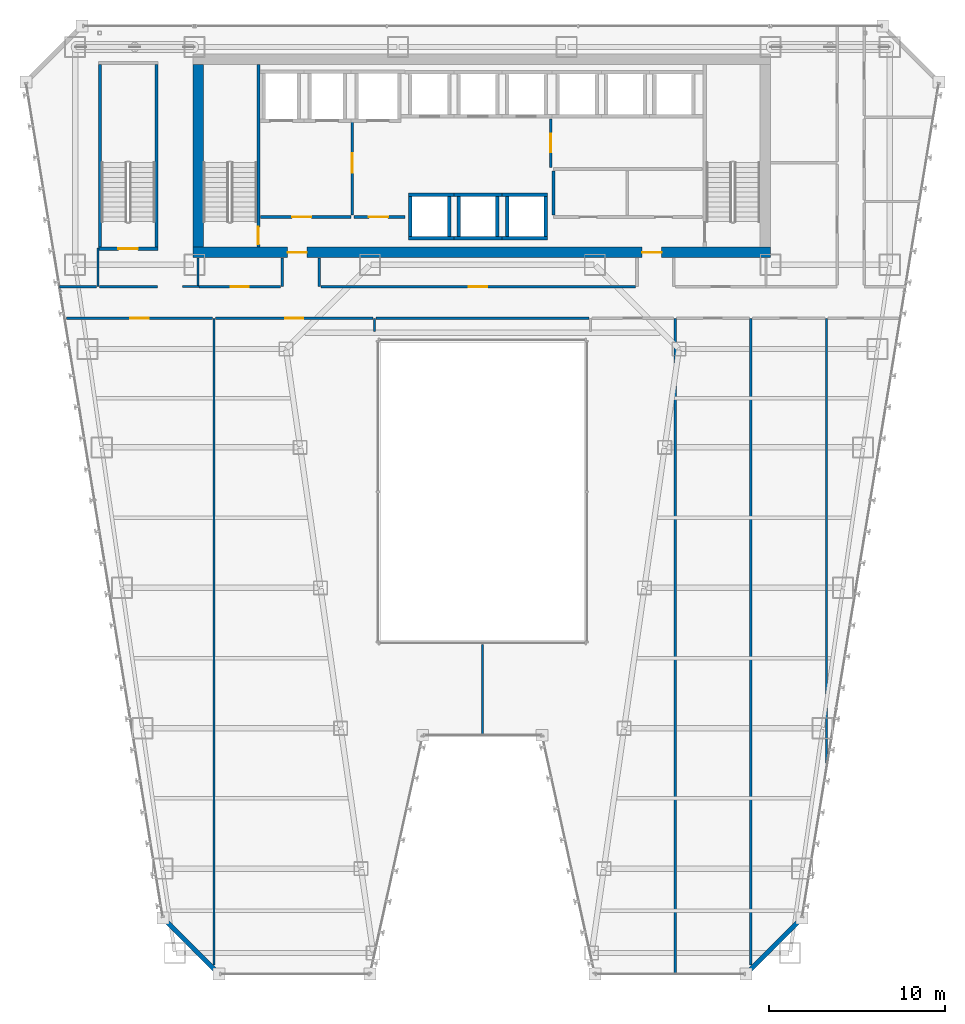
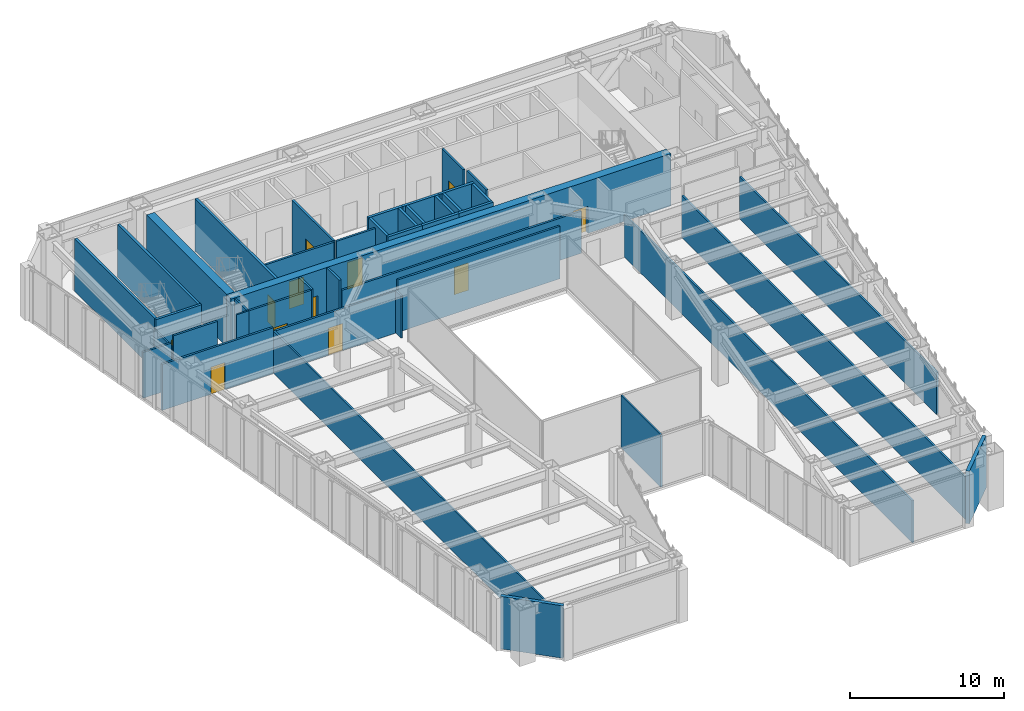
# One storey, part 36 of 47: 43 walls, 12 doors, 12 openings.
"""IFC4 building model written with IfcOpenShell, lengths in metres."""

from ifc_helpers import new_model, si_unit, direction, frame, frame_2d, origin, place, context, subcontext, project, spatial, rectangle, extrude, material, layer, layer_set, type_object, element, fill, save


model = new_model("IFC4")

# Units and contexts
model_context = context("Model", 3, precision=1e-05, world=origin(), true_north=direction((0.0, 1.0)))
body_context = subcontext(model_context, "Body", "Model", "MODEL_VIEW")
ifc_project = project(units=[si_unit("LENGTHUNIT", "METRE"), si_unit("AREAUNIT", "SQUARE_METRE"), si_unit("VOLUMEUNIT", "CUBIC_METRE"), si_unit("PLANEANGLEUNIT", "RADIAN"), si_unit("MASSUNIT", "GRAM", prefix="KILO")], contexts=[model_context])

# Site, building, storey
site_placement = place(None, origin())
site = spatial("IfcSite", under=ifc_project, at=site_placement, CompositionType="ELEMENT")
building_placement = place(site_placement, origin())
building = spatial("IfcBuilding", under=site, at=building_placement, Name="Saevonmaru Cultural Tower", CompositionType="ELEMENT")
storey_placement = place(building_placement, frame((0.0, 0.0, 56.0)))
storey = spatial("IfcBuildingStorey", under=building, at=storey_placement, Name="L11", CompositionType="ELEMENT", Elevation=56.0)

# Wall, openings, doors
ifc_material_1 = material(Name="Concrete C60/75", Category="concrete")
ifc_layer_1 = layer(ifc_material_1, 0.60009765625, Name="Concrete C60/75")
ifc_layer_set_1 = layer_set([ifc_layer_1], Name="Concrete C60/75")
wall_type_1 = type_object("IfcWallType", Name="WL-CORE-600", PredefinedType="SHEAR", material=ifc_layer_set_1)
wall_1_placement = place(storey_placement, frame((13.5, 43.10009765625, 0.0), z_axis=(0.0, 0.0, 1.0), x_axis=(1.0, 0.0, 0.0)))
wall_1 = element("IfcWall", 1, at=wall_1_placement, inside=storey, type_object=wall_type_1, Name="L11 Tower RC core shear wall S", PredefinedType="SHEAR", context=body_context, shape_type="SweptSolid", body=[
    extrude(rectangle(XDim=32.89990234375, YDim=0.60009765625, at=frame_2d((16.449951171875, 0.0))), origin(), (0.0, 0.0, 1.0), 4.14990234375),
])
opening_1_placement = place(wall_1_placement, frame((5.39990234375, 0.0, 0.0)))
opening_1 = element("IfcOpeningElement", 2, at=opening_1_placement, cuts=wall_1, Name="Opening FD-2", PredefinedType="OPENING", context=body_context, shape_type="SweptSolid", body=[
    extrude(rectangle(XDim=1.10009765625, YDim=2.14990234375, at=frame_2d((0.550048828125, 1.074951171875))), frame((0.0, 0.31005859375, 0.0), z_axis=(0.0, -1.0, 0.0), x_axis=(1.0, 0.0, 0.0)), (0.0, 0.0, 1.0), 0.6201171875),
])
opening_2_placement = place(wall_1_placement, frame((25.60009765625, 0.0, 0.0)))
opening_2 = element("IfcOpeningElement", 3, at=opening_2_placement, cuts=wall_1, Name="Opening FD-2", PredefinedType="OPENING", context=body_context, shape_type="SweptSolid", body=[
    extrude(rectangle(XDim=1.10009765625, YDim=2.14990234375, at=frame_2d((0.550048828125, 1.074951171875))), frame((0.0, 0.31005859375, 0.0), z_axis=(0.0, -1.0, 0.0), x_axis=(1.0, 0.0, 0.0)), (0.0, 0.0, 1.0), 0.6201171875),
])
ifc_material_2 = material(Name="Satin Bronze Anodised Aluminium", Category="aluminium")
door_type_1 = type_object("IfcDoorType", Name="DR-FD60-1100", OperationType="SINGLE_SWING_LEFT", PredefinedType="DOOR", material=ifc_material_2)
door_1_placement = place(opening_1_placement, origin())
door_1 = element("IfcDoor", 4, at=door_1_placement, inside=storey, type_object=door_type_1, Name="L11 Core West Lobby Fire Door", OperationType="SINGLE_SWING_LEFT", OverallHeight=2.14990234375, OverallWidth=1.10009765625, PredefinedType="DOOR", context=body_context, shape_type="SweptSolid", body=[
    extrude(rectangle(XDim=1.10009765625, YDim=2.14990234375, at=frame_2d((0.550048828125, 1.074951171875))), frame((0.0, 0.02490234375, 0.0), z_axis=(0.0, -1.0, 0.0), x_axis=(1.0, 0.0, 0.0)), (0.0, 0.0, 1.0), 0.050048828125),
])
fill(opening_1, door_1)
door_2_placement = place(opening_2_placement, origin())
door_2 = element("IfcDoor", 5, at=door_2_placement, inside=storey, type_object=door_type_1, Name="L11 Core East Lobby Fire Door", OperationType="SINGLE_SWING_LEFT", OverallHeight=2.14990234375, OverallWidth=1.10009765625, PredefinedType="DOOR", context=body_context, shape_type="SweptSolid", body=[
    extrude(rectangle(XDim=1.10009765625, YDim=2.14990234375, at=frame_2d((0.550048828125, 1.074951171875))), frame((0.0, 0.02490234375, 0.0), z_axis=(0.0, -1.0, 0.0), x_axis=(1.0, 0.0, 0.0)), (0.0, 0.0, 1.0), 0.050048828125),
])
fill(opening_2, door_2)

# Wall
wall_2_placement = place(storey_placement, frame((13.800048828125, 43.39990234375, 0.0), z_axis=(0.0, 0.0, 1.0), x_axis=(0.0, 1.0, 0.0)))
element("IfcWall", 6, at=wall_2_placement, inside=storey, type_object=wall_type_1, Name="L11 Tower RC core shear wall W", PredefinedType="SHEAR", context=body_context, shape_type="SweptSolid", body=[
    extrude(rectangle(XDim=10.400146484375, YDim=0.60009765625, at=frame_2d((5.2001953125, 0.0))), origin(), (0.0, 0.0, 1.0), 4.14990234375),
])

# Wall, opening, door
ifc_material_3 = material(Name="Gypsum Fireboard Partition", Category="gypsum")
ifc_layer_2 = layer(ifc_material_3, 0.14990234375, Name="Gypsum Fireboard Partition")
ifc_layer_set_2 = layer_set([ifc_layer_2], Name="Gypsum Fireboard Partition")
wall_type_2 = type_object("IfcWallType", Name="WL-CORE-PART-150", PredefinedType="PARTITIONING", material=ifc_layer_set_2)
wall_3_placement = place(storey_placement, frame((17.360107421875, 45.1201171875, 0.0), z_axis=(0.0, 0.0, 1.0), x_axis=(1.0, 0.0, 0.0)))
wall_3 = element("IfcWall", 7, at=wall_3_placement, inside=storey, type_object=wall_type_2, Name="L11 Firefighting Lift Lobby South Wall", PredefinedType="PARTITIONING", context=body_context, shape_type="SweptSolid", body=[
    extrude(rectangle(XDim=5.139892578125, YDim=0.14990234375, at=frame_2d((2.56982421875, 0.0))), origin(), (0.0, 0.0, 1.0), 4.14990234375),
])
opening_3_placement = place(wall_3_placement, frame((1.800048828125, 0.0, 0.0)))
opening_3 = element("IfcOpeningElement", 8, at=opening_3_placement, cuts=wall_3, Name="Opening FD-2", PredefinedType="OPENING", context=body_context, shape_type="SweptSolid", body=[
    extrude(rectangle(XDim=1.10009765625, YDim=2.14990234375, at=frame_2d((0.550048828125, 1.074951171875))), frame((0.0, 0.0849609375, 0.0), z_axis=(0.0, -1.0, 0.0), x_axis=(1.0, 0.0, 0.0)), (0.0, 0.0, 1.0), 0.169921875),
])
door_3_placement = place(opening_3_placement, origin())
door_3 = element("IfcDoor", 9, at=door_3_placement, inside=storey, type_object=door_type_1, Name="L11 Firefighting Lift Lobby South Door", OperationType="SINGLE_SWING_LEFT", OverallHeight=2.14990234375, OverallWidth=1.10009765625, PredefinedType="DOOR", context=body_context, shape_type="SweptSolid", body=[
    extrude(rectangle(XDim=1.10009765625, YDim=2.14990234375, at=frame_2d((0.550048828125, 1.074951171875))), frame((0.0, 0.02490234375, 0.0), z_axis=(0.0, -1.0, 0.0), x_axis=(1.0, 0.0, 0.0)), (0.0, 0.0, 1.0), 0.050048828125),
])
fill(opening_3, door_3)

wall_4_placement = place(storey_placement, frame((22.580078125, 50.550048828125, 0.0), z_axis=(0.0, 0.0, 1.0), x_axis=(0.0, -1.0, 0.0)))
wall_4 = element("IfcWall", 10, at=wall_4_placement, inside=storey, type_object=wall_type_2, Name="L11 Firefighting Lift Lobby East Wall", PredefinedType="PARTITIONING", context=body_context, shape_type="SweptSolid", body=[
    extrude(rectangle(XDim=5.330078125, YDim=0.14990234375, at=frame_2d((2.6650390625, 0.0))), origin(), (0.0, 0.0, 1.0), 4.14990234375),
])
opening_4_placement = place(wall_4_placement, frame((1.800048828125, 0.0, 0.0)))
opening_4 = element("IfcOpeningElement", 11, at=opening_4_placement, cuts=wall_4, Name="Opening FD-2", PredefinedType="OPENING", context=body_context, shape_type="SweptSolid", body=[
    extrude(rectangle(XDim=1.10009765625, YDim=2.14990234375, at=frame_2d((0.550048828125, 1.074951171875))), frame((0.0, 0.0849609375, 0.0), z_axis=(0.0, -1.0, 0.0), x_axis=(1.0, 0.0, 0.0)), (0.0, 0.0, 1.0), 0.169921875),
])
door_4_placement = place(opening_4_placement, origin())
door_4 = element("IfcDoor", 12, at=door_4_placement, inside=storey, type_object=door_type_1, Name="L11 Firefighting Lift Lobby East Door", OperationType="SINGLE_SWING_LEFT", OverallHeight=2.14990234375, OverallWidth=1.10009765625, PredefinedType="DOOR", context=body_context, shape_type="SweptSolid", body=[
    extrude(rectangle(XDim=1.10009765625, YDim=2.14990234375, at=frame_2d((0.550048828125, 1.074951171875))), frame((0.0, 0.02490234375, 0.0), z_axis=(0.0, -1.0, 0.0), x_axis=(1.0, 0.0, 0.0)), (0.0, 0.0, 1.0), 0.050048828125),
])
fill(opening_4, door_4)

wall_5_placement = place(storey_placement, frame((22.679931640625, 45.1201171875, 0.0), z_axis=(0.0, 0.0, 1.0), x_axis=(1.0, 0.0, 0.0)))
wall_5 = element("IfcWall", 13, at=wall_5_placement, inside=storey, type_object=wall_type_2, Name="L11 Service Lift Vestibule Wall", PredefinedType="PARTITIONING", context=body_context, shape_type="SweptSolid", body=[
    extrude(rectangle(XDim=2.920166015625, YDim=0.14990234375, at=frame_2d((1.4599609375, 0.0))), origin(), (0.0, 0.0, 1.0), 4.14990234375),
])
opening_5_placement = place(wall_5_placement, frame((0.85009765625, 0.0, 0.0)))
opening_5 = element("IfcOpeningElement", 14, at=opening_5_placement, cuts=wall_5, Name="Opening FD-2", PredefinedType="OPENING", context=body_context, shape_type="SweptSolid", body=[
    extrude(rectangle(XDim=1.10009765625, YDim=2.14990234375, at=frame_2d((0.550048828125, 1.074951171875))), frame((0.0, 0.0849609375, 0.0), z_axis=(0.0, -1.0, 0.0), x_axis=(1.0, 0.0, 0.0)), (0.0, 0.0, 1.0), 0.169921875),
])
door_5_placement = place(opening_5_placement, origin())
door_5 = element("IfcDoor", 15, at=door_5_placement, inside=storey, type_object=door_type_1, Name="L11 Service Lift Vestibule Door", OperationType="SINGLE_SWING_LEFT", OverallHeight=2.14990234375, OverallWidth=1.10009765625, PredefinedType="DOOR", context=body_context, shape_type="SweptSolid", body=[
    extrude(rectangle(XDim=1.10009765625, YDim=2.14990234375, at=frame_2d((0.550048828125, 1.074951171875))), frame((0.0, 0.02490234375, 0.0), z_axis=(0.0, -1.0, 0.0), x_axis=(1.0, 0.0, 0.0)), (0.0, 0.0, 1.0), 0.050048828125),
])
fill(opening_5, door_5)

wall_6_placement = place(storey_placement, frame((33.89990234375, 47.949951171875, 0.0), z_axis=(0.0, 0.0, 1.0), x_axis=(0.0, 1.0, 0.0)))
wall_6 = element("IfcWall", 16, at=wall_6_placement, inside=storey, type_object=wall_type_2, Name="L11 Zone Lobby Divider", PredefinedType="PARTITIONING", context=body_context, shape_type="SweptSolid", body=[
    extrude(rectangle(XDim=2.75, YDim=0.14990234375, at=frame_2d((1.375, 0.0))), origin(), (0.0, 0.0, 1.0), 4.14990234375),
])
opening_6_placement = place(wall_6_placement, frame((0.85009765625, 0.0, 0.0)))
opening_6 = element("IfcOpeningElement", 17, at=opening_6_placement, cuts=wall_6, Name="Opening ID-1", PredefinedType="OPENING", context=body_context, shape_type="SweptSolid", body=[
    extrude(rectangle(XDim=1.050048828125, YDim=2.14990234375, at=frame_2d((0.52490234375, 1.074951171875))), frame((0.0, 0.0849609375, 0.0), z_axis=(0.0, -1.0, 0.0), x_axis=(1.0, 0.0, 0.0)), (0.0, 0.0, 1.0), 0.169921875),
])
door_type_2 = type_object("IfcDoorType", Name="DR-INT-1050", OperationType="SINGLE_SWING_LEFT", PredefinedType="DOOR", material=ifc_material_2)
door_6_placement = place(opening_6_placement, origin())
door_6 = element("IfcDoor", 18, at=door_6_placement, inside=storey, type_object=door_type_2, Name="L11 Inter-Lobby Link Door", OperationType="SINGLE_SWING_LEFT", OverallHeight=2.14990234375, OverallWidth=1.050048828125, PredefinedType="DOOR", context=body_context, shape_type="SweptSolid", body=[
    extrude(rectangle(XDim=1.050048828125, YDim=2.14990234375, at=frame_2d((0.52490234375, 1.074951171875))), frame((0.0, 0.02490234375, 0.0), z_axis=(0.0, -1.0, 0.0), x_axis=(1.0, 0.0, 0.0)), (0.0, 0.0, 1.0), 0.050048828125),
])
fill(opening_6, door_6)

# Walls
wall_7_placement = place(storey_placement, frame((34.050048828125, 45.219970703125, 0.0), z_axis=(0.0, 0.0, 1.0), x_axis=(0.0, 1.0, 0.0)))
element("IfcWall", 19, at=wall_7_placement, inside=storey, type_object=wall_type_2, Name="L11 Core Plant West Wall", PredefinedType="PARTITIONING", context=body_context, shape_type="SweptSolid", body=[
    extrude(rectangle(XDim=2.530029296875, YDim=0.14990234375, at=frame_2d((1.26513671875, 0.0))), origin(), (0.0, 0.0, 1.0), 4.14990234375),
])
ifc_material_4 = material(Name="Granite-Clad Precast Concrete C40/50", Category="masonry")
ifc_layer_3 = layer(ifc_material_4, 0.260009765625, Name="Granite-Clad Precast Concrete C40/50")
ifc_layer_set_3 = layer_set([ifc_layer_3], Name="Granite-Clad Precast Concrete C40/50")
wall_type_3 = type_object("IfcWallType", Name="WL-EXT-SPANDREL-260", PredefinedType="STANDARD", material=ifc_layer_set_3)
for number, where, z_axis, x_axis, name in (
    (20, (11.9130859375, 5.0869140625, 0.0), (0.0, 0.0, 1.0), (0.707106781187, -0.707106781187, 0.0), "L11 Chamfer Corner Spandrel Wall E1"),
    (21, (45.113037109375, 2.113037109375, 0.0), (0.0, 0.0, 1.0), (0.707106781187, 0.707106781187, 0.0), "L11 Chamfer Corner Spandrel Wall E7"),
):
    element("IfcWall", number, at=place(storey_placement, frame(where, z_axis=z_axis, x_axis=x_axis)), inside=storey, type_object=wall_type_3, Name=name, PredefinedType="STANDARD", context=body_context, shape_type="SweptSolid", body=[
        extrude(rectangle(XDim=4.205810546875, YDim=0.260009765625, at=frame_2d((2.10302734375, 0.0))), origin(), (0.0, 0.0, 1.0), 4.14990234375),
    ])
ifc_layer_4 = layer(ifc_material_3, 0.14990234375, Name="Gypsum Fireboard Partition")
ifc_layer_set_4 = layer_set([ifc_layer_4], Name="Gypsum Fireboard Partition")
wall_type_4 = type_object("IfcWallType", Name="WL-PART-FIRE-150", PredefinedType="PARTITIONING", material=ifc_layer_set_4)
wall_8_placement = place(storey_placement, frame((8.179931640625, 41.14990234375, 0.0), z_axis=(0.0, 0.0, 1.0), x_axis=(1.0, 0.0, 0.0)))
element("IfcWall", 22, at=wall_8_placement, inside=storey, type_object=wall_type_4, Name="L11 Stair ST-3 South Vestibule Wall", PredefinedType="PARTITIONING", context=body_context, shape_type="SweptSolid", body=[
    extrude(rectangle(XDim=3.300048828125, YDim=0.14990234375, at=frame_2d((1.64990234375, 0.0))), origin(), (0.0, 0.0, 1.0), 4.14990234375),
])
wall_9_placement = place(storey_placement, frame((5.9140625, 41.14990234375, 0.0), z_axis=(0.0, 0.0, 1.0), x_axis=(1.0, 0.0, 0.0)))
element("IfcWall", 23, at=wall_9_placement, inside=storey, type_object=wall_type_4, Name="L11 Contemporary Photography Gallery Corridor Wall", PredefinedType="PARTITIONING", context=body_context, shape_type="SweptSolid", body=[
    extrude(rectangle(XDim=2.10595703125, YDim=0.14990234375, at=frame_2d((1.052978515625, 0.0))), origin(), (0.0, 0.0, 1.0), 3.635009765625),
])
for number, where, z_axis, x_axis, name in (
    (24, (18.60009765625, 41.14990234375, 0.0), (0.0, 0.0, 1.0), (0.0, 1.0, 0.0), "L11 Core Portal Side Wall W1"),
    (25, (20.699951171875, 41.14990234375, 0.0), (0.0, 0.0, 1.0), (0.0, 1.0, 0.0), "L11 Core Portal Side Wall W2"),
):
    element("IfcWall", number, at=place(storey_placement, frame(where, z_axis=z_axis, x_axis=x_axis)), inside=storey, type_object=wall_type_4, Name=name, PredefinedType="PARTITIONING", context=body_context, shape_type="SweptSolid", body=[
        extrude(rectangle(XDim=1.630126953125, YDim=0.14990234375, at=frame_2d((0.81494140625, 0.0))), origin(), (0.0, 0.0, 1.0), 4.14990234375),
    ])

# Wall, opening, door
wall_10_placement = place(storey_placement, frame((13.85009765625, 41.14990234375, 0.0), z_axis=(0.0, 0.0, 1.0), x_axis=(1.0, 0.0, 0.0)))
wall_10 = element("IfcWall", 26, at=wall_10_placement, inside=storey, type_object=wall_type_4, Name="L11 Permanent Exhibition Gallery Corridor Wall", PredefinedType="PARTITIONING", context=body_context, shape_type="SweptSolid", body=[
    extrude(rectangle(XDim=4.65478515625, YDim=0.14990234375, at=frame_2d((2.327392578125, 0.0))), origin(), (0.0, 0.0, 1.0), 4.14990234375),
])
opening_7_placement = place(wall_10_placement, frame((1.802001953125, 0.0, 0.0)))
opening_7 = element("IfcOpeningElement", 27, at=opening_7_placement, cuts=wall_10, Name="Opening ID-1", PredefinedType="OPENING", context=body_context, shape_type="SweptSolid", body=[
    extrude(rectangle(XDim=1.050048828125, YDim=2.14990234375, at=frame_2d((0.52490234375, 1.074951171875))), frame((0.0, 0.0849609375, 0.0), z_axis=(0.0, -1.0, 0.0), x_axis=(1.0, 0.0, 0.0)), (0.0, 0.0, 1.0), 0.169921875),
])
door_7_placement = place(opening_7_placement, origin())
door_7 = element("IfcDoor", 28, at=door_7_placement, inside=storey, type_object=door_type_2, Name="L11 Permanent Exhibition Gallery Door", OperationType="SINGLE_SWING_LEFT", OverallHeight=2.14990234375, OverallWidth=1.050048828125, PredefinedType="DOOR", context=body_context, shape_type="SweptSolid", body=[
    extrude(rectangle(XDim=1.050048828125, YDim=2.14990234375, at=frame_2d((0.52490234375, 1.074951171875))), frame((0.0, 0.02490234375, 0.0), z_axis=(0.0, -1.0, 0.0), x_axis=(1.0, 0.0, 0.0)), (0.0, 0.0, 1.0), 0.050048828125),
])
fill(opening_7, door_7)

wall_11_placement = place(storey_placement, frame((20.794921875, 41.14990234375, 0.0), z_axis=(0.0, 0.0, 1.0), x_axis=(1.0, 0.0, 0.0)))
wall_11 = element("IfcWall", 29, at=wall_11_placement, inside=storey, type_object=wall_type_4, Name="L11 Contemporary Photography Gallery Corridor Wall", PredefinedType="PARTITIONING", context=body_context, shape_type="SweptSolid", body=[
    extrude(rectangle(XDim=17.91015625, YDim=0.14990234375, at=frame_2d((8.955078125, 0.0))), origin(), (0.0, 0.0, 1.0), 3.3349609375),
])
opening_8_placement = place(wall_11_placement, frame((8.429931640625, 0.0, 0.0)))
opening_8 = element("IfcOpeningElement", 30, at=opening_8_placement, cuts=wall_11, Name="Opening ID-1", PredefinedType="OPENING", context=body_context, shape_type="SweptSolid", body=[
    extrude(rectangle(XDim=1.050048828125, YDim=2.14990234375, at=frame_2d((0.52490234375, 1.074951171875))), frame((0.0, 0.0849609375, 0.0), z_axis=(0.0, -1.0, 0.0), x_axis=(1.0, 0.0, 0.0)), (0.0, 0.0, 1.0), 0.169921875),
])
door_8_placement = place(opening_8_placement, origin())
door_8 = element("IfcDoor", 31, at=door_8_placement, inside=storey, type_object=door_type_2, Name="L11 Contemporary Photography Gallery Door", OperationType="SINGLE_SWING_RIGHT", OverallHeight=2.14990234375, OverallWidth=1.050048828125, PredefinedType="DOOR", context=body_context, shape_type="SweptSolid", body=[
    extrude(rectangle(XDim=1.050048828125, YDim=2.14990234375, at=frame_2d((0.52490234375, 1.074951171875))), frame((0.0, 0.02490234375, 0.0), z_axis=(0.0, -1.0, 0.0), x_axis=(1.0, 0.0, 0.0)), (0.0, 0.0, 1.0), 0.050048828125),
])
fill(opening_8, door_8)

wall_12_placement = place(storey_placement, frame((6.304931640625, 39.35009765625, 0.0), z_axis=(0.0, 0.0, 1.0), x_axis=(1.0, 0.0, 0.0)))
wall_12 = element("IfcWall", 32, at=wall_12_placement, inside=storey, type_object=wall_type_4, Name="L11 Permanent Exhibition Gallery Corridor Wall", PredefinedType="PARTITIONING", context=body_context, shape_type="SweptSolid", body=[
    extrude(rectangle(XDim=8.324951171875, YDim=0.14990234375, at=frame_2d((4.16259765625, 0.0))), origin(), (0.0, 0.0, 1.0), 3.635009765625),
])
opening_9_placement = place(wall_12_placement, frame((3.637939453125, 0.0, 0.0)))
opening_9 = element("IfcOpeningElement", 33, at=opening_9_placement, cuts=wall_12, Name="Opening ID-1", PredefinedType="OPENING", context=body_context, shape_type="SweptSolid", body=[
    extrude(rectangle(XDim=1.050048828125, YDim=2.14990234375, at=frame_2d((0.52490234375, 1.074951171875))), frame((0.0, 0.0849609375, 0.0), z_axis=(0.0, -1.0, 0.0), x_axis=(1.0, 0.0, 0.0)), (0.0, 0.0, 1.0), 0.169921875),
])
door_9_placement = place(opening_9_placement, origin())
door_9 = element("IfcDoor", 34, at=door_9_placement, inside=storey, type_object=door_type_2, Name="L11 Permanent Exhibition Gallery Door", OperationType="SINGLE_SWING_RIGHT", OverallHeight=2.14990234375, OverallWidth=1.050048828125, PredefinedType="DOOR", context=body_context, shape_type="SweptSolid", body=[
    extrude(rectangle(XDim=1.050048828125, YDim=2.14990234375, at=frame_2d((0.52490234375, 1.074951171875))), frame((0.0, 0.02490234375, 0.0), z_axis=(0.0, -1.0, 0.0), x_axis=(1.0, 0.0, 0.0)), (0.0, 0.0, 1.0), 0.050048828125),
])
fill(opening_9, door_9)

wall_13_placement = place(storey_placement, frame((14.7900390625, 39.35009765625, 0.0), z_axis=(0.0, 0.0, 1.0), x_axis=(1.0, 0.0, 0.0)))
wall_13 = element("IfcWall", 35, at=wall_13_placement, inside=storey, type_object=wall_type_4, Name="L11 Contemporary Photography Gallery Corridor Wall", PredefinedType="PARTITIONING", context=body_context, shape_type="SweptSolid", body=[
    extrude(rectangle(XDim=8.97998046875, YDim=0.14990234375, at=frame_2d((4.489990234375, 0.0))), origin(), (0.0, 0.0, 1.0), 3.3349609375),
])
opening_10_placement = place(wall_13_placement, frame((3.965087890625, 0.0, 0.0)))
opening_10 = element("IfcOpeningElement", 36, at=opening_10_placement, cuts=wall_13, Name="Opening ID-1", PredefinedType="OPENING", context=body_context, shape_type="SweptSolid", body=[
    extrude(rectangle(XDim=1.050048828125, YDim=2.14990234375, at=frame_2d((0.52490234375, 1.074951171875))), frame((0.0, 0.0849609375, 0.0), z_axis=(0.0, -1.0, 0.0), x_axis=(1.0, 0.0, 0.0)), (0.0, 0.0, 1.0), 0.169921875),
])
door_10_placement = place(opening_10_placement, origin())
door_10 = element("IfcDoor", 37, at=door_10_placement, inside=storey, type_object=door_type_2, Name="L11 Contemporary Photography Gallery Door", OperationType="SINGLE_SWING_LEFT", OverallHeight=2.14990234375, OverallWidth=1.050048828125, PredefinedType="DOOR", context=body_context, shape_type="SweptSolid", body=[
    extrude(rectangle(XDim=1.050048828125, YDim=2.14990234375, at=frame_2d((0.52490234375, 1.074951171875))), frame((0.0, 0.02490234375, 0.0), z_axis=(0.0, -1.0, 0.0), x_axis=(1.0, 0.0, 0.0)), (0.0, 0.0, 1.0), 0.050048828125),
])
fill(opening_10, door_10)

# Walls
wall_14_placement = place(storey_placement, frame((23.929931640625, 39.35009765625, 0.0), z_axis=(0.0, 0.0, 1.0), x_axis=(1.0, 0.0, 0.0)))
element("IfcWall", 38, at=wall_14_placement, inside=storey, type_object=wall_type_4, Name="L11 North Atrium Corridor Wall", PredefinedType="PARTITIONING", context=body_context, shape_type="SweptSolid", body=[
    extrude(rectangle(XDim=12.14013671875, YDim=0.14990234375, at=frame_2d((6.070068359375, 0.0))), origin(), (0.0, 0.0, 1.0), 4.14990234375),
])
ifc_layer_5 = layer(ifc_material_3, 0.1201171875, Name="Gypsum Fireboard Partition")
ifc_layer_set_5 = layer_set([ifc_layer_5], Name="Gypsum Fireboard Partition")
wall_type_5 = type_object("IfcWallType", Name="WL-PART-GYP-120", PredefinedType="PARTITIONING", material=ifc_layer_set_5)
wall_15_placement = place(storey_placement, frame((12.919921875, 41.14990234375, 0.0), z_axis=(0.0, 0.0, 1.0), x_axis=(1.0, 0.0, 0.0)))
element("IfcWall", 39, at=wall_15_placement, inside=storey, type_object=wall_type_5, Name="L11 NW Inner South Wall", PredefinedType="PARTITIONING", context=body_context, shape_type="SweptSolid", body=[
    extrude(rectangle(XDim=0.93017578125, YDim=0.1201171875, at=frame_2d((0.465087890625, 0.0))), origin(), (0.0, 0.0, 1.0), 4.14990234375),
])
wall_16_placement = place(storey_placement, frame((13.800048828125, 41.22998046875, 0.0), z_axis=(0.0, 0.0, 1.0), x_axis=(0.0, 1.0, 0.0)))
element("IfcWall", 40, at=wall_16_placement, inside=storey, type_object=wall_type_5, Name="L11 NW Inner Core Return", PredefinedType="PARTITIONING", context=body_context, shape_type="SweptSolid", body=[
    extrude(rectangle(XDim=1.550048828125, YDim=0.1201171875, at=frame_2d((0.77490234375, 0.0))), origin(), (0.0, 0.0, 1.0), 4.14990234375),
])
wall_17_placement = place(storey_placement, frame((8.10009765625, 41.14990234375, 0.0), z_axis=(0.0, 0.0, 1.0), x_axis=(0.0, 1.0, 0.0)))
element("IfcWall", 41, at=wall_17_placement, inside=storey, type_object=wall_type_5, Name="L11 NW Stair Return", PredefinedType="PARTITIONING", context=body_context, shape_type="SweptSolid", body=[
    extrude(rectangle(XDim=2.2001953125, YDim=0.1201171875, at=frame_2d((1.10009765625, 0.0))), origin(), (0.0, 0.0, 1.0), 3.3349609375),
])
wall_18_placement = place(storey_placement, frame((14.7099609375, 2.502197265625, 0.0), z_axis=(0.0, 0.0, 1.0), x_axis=(0.0, 1.0, 0.0)))
element("IfcWall", 42, at=wall_18_placement, inside=storey, type_object=wall_type_5, Name="L11 West Bay Divider 1", PredefinedType="PARTITIONING", context=body_context, shape_type="SweptSolid", body=[
    extrude(rectangle(XDim=36.847900390625, YDim=0.1201171875, at=frame_2d((18.423828125, 0.0))), origin(), (0.0, 0.0, 1.0), 3.3349609375),
])
wall_19_placement = place(storey_placement, frame((23.85009765625, 38.60009765625, 0.0), z_axis=(0.0, 0.0, 1.0), x_axis=(0.0, 1.0, 0.0)))
element("IfcWall", 43, at=wall_19_placement, inside=storey, type_object=wall_type_5, Name="L11 North Atrium West Wall", PredefinedType="PARTITIONING", context=body_context, shape_type="SweptSolid", body=[
    extrude(rectangle(XDim=0.75, YDim=0.1201171875, at=frame_2d((0.375, 0.0))), origin(), (0.0, 0.0, 1.0), 3.3349609375),
])
wall_20_placement = place(storey_placement, frame((30.0, 15.60498046875, 0.0), z_axis=(0.0, 0.0, 1.0), x_axis=(0.0, 1.0, 0.0)))
element("IfcWall", 44, at=wall_20_placement, inside=storey, type_object=wall_type_5, Name="L11 South Atrium Center Split", PredefinedType="PARTITIONING", context=body_context, shape_type="SweptSolid", body=[
    extrude(rectangle(XDim=5.175048828125, YDim=0.1201171875, at=frame_2d((2.58740234375, 0.0))), origin(), (0.0, 0.0, 1.0), 4.14990234375),
])
ifc_layer_6 = layer(ifc_material_3, 0.135009765625, Name="Gypsum Fireboard Partition")
ifc_layer_set_6 = layer_set([ifc_layer_6], Name="Gypsum Fireboard Partition")
wall_type_6 = type_object("IfcWallType", Name="WL-PART-GYP-135", PredefinedType="PARTITIONING", material=ifc_layer_set_6)
wall_21_placement = place(storey_placement, frame((40.97998046875, 2.0048828125, 0.0), z_axis=(0.0, 0.0, 1.0), x_axis=(0.0, 1.0, 0.0)))
element("IfcWall", 45, at=wall_21_placement, inside=storey, type_object=wall_type_6, Name="L11 East Bay Divider 1", PredefinedType="PARTITIONING", context=body_context, shape_type="SweptSolid", body=[
    extrude(rectangle(XDim=37.34521484375, YDim=0.135009765625, at=frame_2d((18.672607421875, 0.0))), origin(), (0.0, 0.0, 1.0), 3.3349609375),
])
wall_22_placement = place(storey_placement, frame((45.2900390625, 2.502197265625, 0.0), z_axis=(0.0, 0.0, 1.0), x_axis=(0.0, 1.0, 0.0)))
element("IfcWall", 46, at=wall_22_placement, inside=storey, type_object=wall_type_6, Name="L11 East Bay Divider 2", PredefinedType="PARTITIONING", context=body_context, shape_type="SweptSolid", body=[
    extrude(rectangle(XDim=36.847900390625, YDim=0.135009765625, at=frame_2d((18.423828125, 0.0))), origin(), (0.0, 0.0, 1.0), 3.3349609375),
])
wall_23_placement = place(storey_placement, frame((49.60009765625, 13.7744140625, 0.0), z_axis=(0.0, 0.0, 1.0), x_axis=(0.0, 1.0, 0.0)))
element("IfcWall", 47, at=wall_23_placement, inside=storey, type_object=wall_type_6, Name="L11 East Bay Divider 3", PredefinedType="PARTITIONING", context=body_context, shape_type="SweptSolid", body=[
    extrude(rectangle(XDim=25.57568359375, YDim=0.135009765625, at=frame_2d((12.787841796875, 0.0))), origin(), (0.0, 0.0, 1.0), 3.3349609375),
])
ifc_material_5 = material(Name="Concrete C40/50", Category="concrete")
ifc_layer_7 = layer(ifc_material_5, 0.199951171875, Name="Concrete C40/50")
ifc_layer_set_7 = layer_set([ifc_layer_7], Name="Concrete C40/50")
wall_type_7 = type_object("IfcWallType", Name="WL-SHAFT-200", PredefinedType="SHEAR", material=ifc_layer_set_7)
for number, where, z_axis, x_axis, name in (
    (48, (25.800048828125, 43.89990234375, 0.0), (0.0, 0.0, 1.0), (1.0, 0.0, 0.0), "L11 Lift PL-M1 Hoistway Wall S"),
    (49, (25.800048828125, 46.39990234375, 0.0), (0.0, 0.0, 1.0), (1.0, 0.0, 0.0), "L11 Lift PL-M1 Hoistway Wall N"),
):
    element("IfcWall", number, at=place(storey_placement, frame(where, z_axis=z_axis, x_axis=x_axis)), inside=storey, type_object=wall_type_7, Name=name, PredefinedType="SHEAR", context=body_context, shape_type="SweptSolid", body=[
        extrude(rectangle(XDim=2.574951171875, YDim=0.199951171875, at=frame_2d((1.28759765625, 0.0))), origin(), (0.0, 0.0, 1.0), 4.14990234375),
    ])
for number, where, z_axis, x_axis, name in (
    (50, (25.89990234375, 44.0, 0.0), (0.0, 0.0, 1.0), (0.0, 1.0, 0.0), "L11 Lift PL-M1 Hoistway Wall W"),
    (51, (28.10009765625, 44.0, 0.0), (0.0, 0.0, 1.0), (0.0, 1.0, 0.0), "L11 Lift PL-M1 Hoistway Wall E"),
):
    element("IfcWall", number, at=place(storey_placement, frame(where, z_axis=z_axis, x_axis=x_axis)), inside=storey, type_object=wall_type_7, Name=name, PredefinedType="SHEAR", context=body_context, shape_type="SweptSolid", body=[
        extrude(rectangle(XDim=2.300048828125, YDim=0.199951171875, at=frame_2d((1.14990234375, 0.0))), origin(), (0.0, 0.0, 1.0), 4.14990234375),
    ])
for number, where, z_axis, x_axis, name in (
    (52, (28.375, 43.89990234375, 0.0), (0.0, 0.0, 1.0), (1.0, 0.0, 0.0), "L11 Lift PL-M2 Hoistway Wall S"),
    (53, (28.375, 46.39990234375, 0.0), (0.0, 0.0, 1.0), (1.0, 0.0, 0.0), "L11 Lift PL-M2 Hoistway Wall N"),
):
    element("IfcWall", number, at=place(storey_placement, frame(where, z_axis=z_axis, x_axis=x_axis)), inside=storey, type_object=wall_type_7, Name=name, PredefinedType="SHEAR", context=body_context, shape_type="SweptSolid", body=[
        extrude(rectangle(XDim=2.75, YDim=0.199951171875, at=frame_2d((1.375, 0.0))), origin(), (0.0, 0.0, 1.0), 4.14990234375),
    ])
for number, where, z_axis, x_axis, name in (
    (54, (28.64990234375, 44.0, 0.0), (0.0, 0.0, 1.0), (0.0, 1.0, 0.0), "L11 Lift PL-M2 Hoistway Wall W"),
    (55, (30.85009765625, 44.0, 0.0), (0.0, 0.0, 1.0), (0.0, 1.0, 0.0), "L11 Lift PL-M2 Hoistway Wall E"),
):
    element("IfcWall", number, at=place(storey_placement, frame(where, z_axis=z_axis, x_axis=x_axis)), inside=storey, type_object=wall_type_7, Name=name, PredefinedType="SHEAR", context=body_context, shape_type="SweptSolid", body=[
        extrude(rectangle(XDim=2.300048828125, YDim=0.199951171875, at=frame_2d((1.14990234375, 0.0))), origin(), (0.0, 0.0, 1.0), 4.14990234375),
    ])
for number, where, z_axis, x_axis, name in (
    (56, (31.125, 43.89990234375, 0.0), (0.0, 0.0, 1.0), (1.0, 0.0, 0.0), "L11 Lift PL-M3 Hoistway Wall S"),
    (57, (31.125, 46.39990234375, 0.0), (0.0, 0.0, 1.0), (1.0, 0.0, 0.0), "L11 Lift PL-M3 Hoistway Wall N"),
):
    element("IfcWall", number, at=place(storey_placement, frame(where, z_axis=z_axis, x_axis=x_axis)), inside=storey, type_object=wall_type_7, Name=name, PredefinedType="SHEAR", context=body_context, shape_type="SweptSolid", body=[
        extrude(rectangle(XDim=2.574951171875, YDim=0.199951171875, at=frame_2d((1.28759765625, 0.0))), origin(), (0.0, 0.0, 1.0), 4.14990234375),
    ])
for number, where, z_axis, x_axis, name in (
    (58, (31.39990234375, 44.0, 0.0), (0.0, 0.0, 1.0), (0.0, 1.0, 0.0), "L11 Lift PL-M3 Hoistway Wall W"),
    (59, (33.60009765625, 44.0, 0.0), (0.0, 0.0, 1.0), (0.0, 1.0, 0.0), "L11 Lift PL-M3 Hoistway Wall E"),
):
    element("IfcWall", number, at=place(storey_placement, frame(where, z_axis=z_axis, x_axis=x_axis)), inside=storey, type_object=wall_type_7, Name=name, PredefinedType="SHEAR", context=body_context, shape_type="SweptSolid", body=[
        extrude(rectangle(XDim=2.300048828125, YDim=0.199951171875, at=frame_2d((1.14990234375, 0.0))), origin(), (0.0, 0.0, 1.0), 4.14990234375),
    ])

# Wall, opening, door
ifc_layer_8 = layer(ifc_material_5, 0.179931640625, Name="Concrete C40/50")
ifc_layer_set_8 = layer_set([ifc_layer_8], Name="Concrete C40/50")
wall_type_8 = type_object("IfcWallType", Name="WL-STSHAFT-180", PredefinedType="SHEAR", material=ifc_layer_set_8)
wall_24_placement = place(storey_placement, frame((17.239990234375, 43.39990234375, 0.0), z_axis=(0.0, 0.0, 1.0), x_axis=(0.0, 1.0, 0.0)))
wall_24 = element("IfcWall", 60, at=wall_24_placement, inside=storey, type_object=wall_type_8, Name="L11 Stair ST-1 Structural Shaft Wall 1", PredefinedType="SHEAR", context=body_context, shape_type="SweptSolid", body=[
    extrude(rectangle(XDim=10.400146484375, YDim=0.179931640625, at=frame_2d((5.2001953125, 0.0))), origin(), (0.0, 0.0, 1.0), 4.14990234375),
])
opening_11_placement = place(wall_24_placement, frame((0.159912109375, 0.0, 0.0)))
opening_11 = element("IfcOpeningElement", 61, at=opening_11_placement, cuts=wall_24, Name="Opening FD-3", PredefinedType="OPENING", context=body_context, shape_type="SweptSolid", body=[
    extrude(rectangle(XDim=1.0, YDim=2.14990234375, at=frame_2d((0.5, 1.074951171875))), frame((0.0, 0.10009765625, 0.0), z_axis=(0.0, -1.0, 0.0), x_axis=(1.0, 0.0, 0.0)), (0.0, 0.0, 1.0), 0.199951171875),
])
door_type_3 = type_object("IfcDoorType", Name="DR-FD60-1000", OperationType="SINGLE_SWING_RIGHT", PredefinedType="DOOR", material=ifc_material_2)
door_11_placement = place(opening_11_placement, origin())
door_11 = element("IfcDoor", 62, at=door_11_placement, inside=storey, type_object=door_type_3, Name="L11 Protected Stair ST-1 Fire Door", OperationType="SINGLE_SWING_RIGHT", OverallHeight=2.14990234375, OverallWidth=1.0, PredefinedType="DOOR", context=body_context, shape_type="SweptSolid", body=[
    extrude(rectangle(XDim=1.0, YDim=2.14990234375, at=frame_2d((0.5, 1.074951171875))), frame((0.0, 0.02490234375, 0.0), z_axis=(0.0, -1.0, 0.0), x_axis=(1.0, 0.0, 0.0)), (0.0, 0.0, 1.0), 0.050048828125),
])
fill(opening_11, door_11)

wall_25_placement = place(storey_placement, frame((8.1201171875, 43.31005859375, 0.0), z_axis=(0.0, 0.0, 1.0), x_axis=(1.0, 0.0, 0.0)))
wall_25 = element("IfcWall", 63, at=wall_25_placement, inside=storey, type_object=wall_type_8, Name="L11 Stair ST-3 Structural Shaft Wall 1", PredefinedType="SHEAR", context=body_context, shape_type="SweptSolid", body=[
    extrude(rectangle(XDim=3.409912109375, YDim=0.179931640625, at=frame_2d((1.705078125, 0.0))), origin(), (0.0, 0.0, 1.0), 4.14990234375),
])
opening_12_placement = place(wall_25_placement, frame((1.14990234375, 0.0, 0.0)))
opening_12 = element("IfcOpeningElement", 64, at=opening_12_placement, cuts=wall_25, Name="Opening FD-2", PredefinedType="OPENING", context=body_context, shape_type="SweptSolid", body=[
    extrude(rectangle(XDim=1.10009765625, YDim=2.14990234375, at=frame_2d((0.550048828125, 1.074951171875))), frame((0.0, 0.10009765625, 0.0), z_axis=(0.0, -1.0, 0.0), x_axis=(1.0, 0.0, 0.0)), (0.0, 0.0, 1.0), 0.199951171875),
])
door_12_placement = place(opening_12_placement, origin())
door_12 = element("IfcDoor", 65, at=door_12_placement, inside=storey, type_object=door_type_1, Name="L11 Protected Stair ST-3 Fire Door", OperationType="SINGLE_SWING_LEFT", OverallHeight=2.14990234375, OverallWidth=1.10009765625, PredefinedType="DOOR", context=body_context, shape_type="SweptSolid", body=[
    extrude(rectangle(XDim=1.10009765625, YDim=2.14990234375, at=frame_2d((0.550048828125, 1.074951171875))), frame((0.0, 0.02490234375, 0.0), z_axis=(0.0, -1.0, 0.0), x_axis=(1.0, 0.0, 0.0)), (0.0, 0.0, 1.0), 0.050048828125),
])
fill(opening_12, door_12)

# Walls
for number, where, z_axis, x_axis, name in (
    (66, (11.43994140625, 43.39990234375, 0.0), (0.0, 0.0, 1.0), (0.0, 1.0, 0.0), "L11 Stair ST-3 Structural Shaft Wall 2"),
    (67, (8.2099609375, 53.800048828125, 0.0), (0.0, 0.0, 1.0), (0.0, -1.0, 0.0), "L11 Stair ST-3 Structural Shaft Wall 4"),
):
    element("IfcWall", number, at=place(storey_placement, frame(where, z_axis=z_axis, x_axis=x_axis)), inside=storey, type_object=wall_type_8, Name=name, PredefinedType="SHEAR", context=body_context, shape_type="SweptSolid", body=[
        extrude(rectangle(XDim=10.400146484375, YDim=0.179931640625, at=frame_2d((5.2001953125, 0.0))), origin(), (0.0, 0.0, 1.0), 4.14990234375),
    ])

save(model, "model.ifc")
